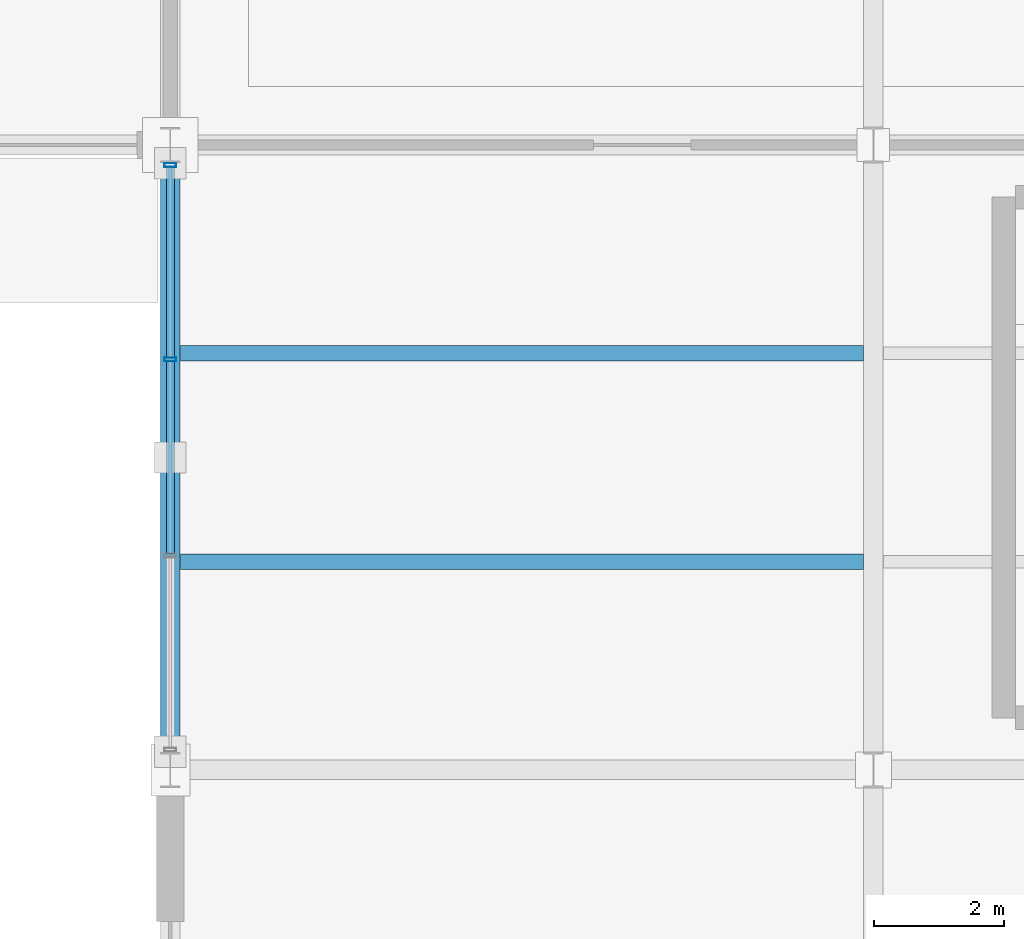
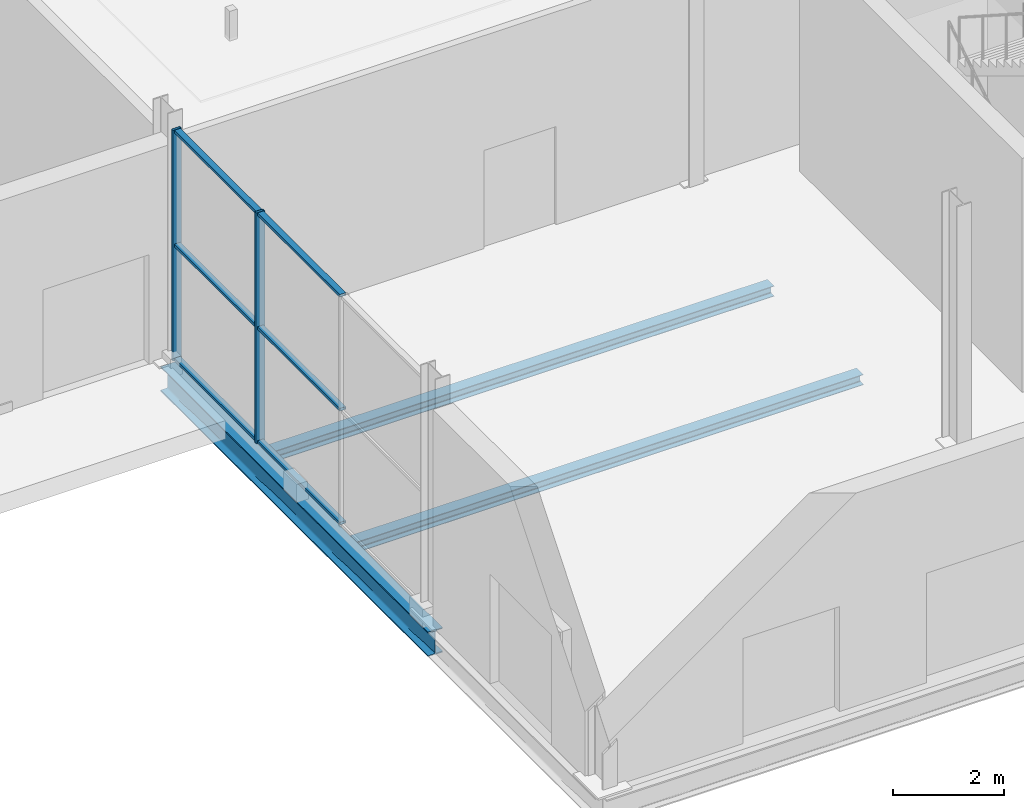
# One storey, part 124 of 196: 8 members, 3 beams, 1 element without a shape of its own.
"""IFC4 building model written with IfcOpenShell, lengths in metres."""

from ifc_helpers import new_model, si_unit, direction, frame, origin, origin_2d, place, context, subcontext, project, spatial, hollow_rectangle, i_section, extrude, material, material_profile, profile_set, type_object, element, aggregate, save


model = new_model("IFC4")

# Units and contexts
model_context = context("Model", 3, precision=1e-05, world=origin(), true_north=direction((0.0, 1.0)))
body_context = subcontext(model_context, "Body", "Model", "MODEL_VIEW")
ifc_project = project(units=[si_unit("LENGTHUNIT", "METRE"), si_unit("AREAUNIT", "SQUARE_METRE"), si_unit("VOLUMEUNIT", "CUBIC_METRE"), si_unit("PLANEANGLEUNIT", "RADIAN"), si_unit("MASSUNIT", "GRAM", prefix="KILO")], contexts=[model_context])

# Site, building, storey
site_placement = place(None, origin())
site = spatial("IfcSite", under=ifc_project, at=site_placement, CompositionType="ELEMENT")
building_placement = place(site_placement, origin())
building = spatial("IfcBuilding", under=site, at=building_placement, Name="Merenkruunu Market Hall", CompositionType="ELEMENT")
storey_placement = place(building_placement, origin())
storey = spatial("IfcBuildingStorey", under=building, at=storey_placement, Name="L00", CompositionType="ELEMENT", Elevation=0.0)

# Curtain wall, members
ifc_material_1 = material(Name="Powder-coated aluminium", Category="aluminium")
curtain_wall_type = type_object("IfcCurtainWallType", Name="Glazed Curtain Wall CW14", PredefinedType="USERDEFINED", material=ifc_material_1)
curtain_wall_placement = place(storey_placement, origin())
curtain_wall = element("IfcCurtainWall", 1, at=curtain_wall_placement, inside=storey, type_object=curtain_wall_type, Name="CW-L00-CWM02-204", ObjectType="GLAZED_FACADE", PredefinedType="USERDEFINED")
ifc_material_profile_1 = material_profile(ifc_material_1, hollow_rectangle(XDim=0.06005859375, YDim=0.179931640625, WallThickness=0.00390625, at=origin_2d()), Name="ALU 60x180x4")
ifc_profile_set_1 = profile_set([ifc_material_profile_1], Name="Powder-coated aluminium")
member_type_1 = type_object("IfcMemberType", Name="Curtain Wall Mullion CWM02", PredefinedType="MULLION", material=ifc_profile_set_1)
member_1_placement = place(storey_placement, frame((148.800048828125, 12.306640625, 0.0), z_axis=(0.0, 0.0, 1.0), x_axis=(0.0, 1.0, 0.0)))
member_1 = element("IfcMember", 2, at=member_1_placement, type_object=member_type_1, Name="CW14 mullion 3", PredefinedType="MULLION", context=body_context, shape_type="SweptSolid", body=[
    extrude(hollow_rectangle(XDim=0.06005859375, YDim=0.179931640625, WallThickness=0.00390625, at=origin_2d()), origin(), (0.0, 0.0, 1.0), 5.050048828125),
])
member_2_placement = place(storey_placement, frame((148.800048828125, 15.2900390625, 0.0), z_axis=(0.0, 0.0, 1.0), x_axis=(0.0, 1.0, 0.0)))
member_2 = element("IfcMember", 3, at=member_2_placement, type_object=member_type_1, Name="CW14 mullion 4", PredefinedType="MULLION", context=body_context, shape_type="SweptSolid", body=[
    extrude(hollow_rectangle(XDim=0.06005859375, YDim=0.179931640625, WallThickness=0.00390625, at=origin_2d()), origin(), (0.0, 0.0, 1.0), 5.050048828125),
])
ifc_material_profile_2 = material_profile(ifc_material_1, hollow_rectangle(XDim=0.06005859375, YDim=0.125, WallThickness=0.00390625, at=origin_2d()), Name="ALU 60x125x4")
ifc_profile_set_2 = profile_set([ifc_material_profile_2], Name="Powder-coated aluminium")
member_type_2 = type_object("IfcMemberType", Name="Curtain Wall Transom CWT01", PredefinedType="USERDEFINED", material=ifc_profile_set_2)
member_3_placement = place(storey_placement, frame((148.800048828125, 9.3232421875, 0.030029296875), z_axis=(0.0, 1.0, 0.0), x_axis=(0.0, 0.0, 1.0)))
member_3 = element("IfcMember", 4, at=member_3_placement, type_object=member_type_2, Name="CW14 transom 2.1", ObjectType="TRANSOM", PredefinedType="USERDEFINED", context=body_context, shape_type="SweptSolid", body=[
    extrude(hollow_rectangle(XDim=0.06005859375, YDim=0.125, WallThickness=0.00390625, at=origin_2d()), origin(), (0.0, 0.0, 1.0), 2.953369140625),
])
member_4_placement = place(storey_placement, frame((148.800048828125, 9.3232421875, 2.52490234375), z_axis=(0.0, 1.0, 0.0), x_axis=(0.0, 0.0, 1.0)))
member_4 = element("IfcMember", 5, at=member_4_placement, type_object=member_type_2, Name="CW14 transom 2.2", ObjectType="TRANSOM", PredefinedType="USERDEFINED", context=body_context, shape_type="SweptSolid", body=[
    extrude(hollow_rectangle(XDim=0.06005859375, YDim=0.125, WallThickness=0.00390625, at=origin_2d()), origin(), (0.0, 0.0, 1.0), 2.953369140625),
])
member_5_placement = place(storey_placement, frame((148.800048828125, 9.3232421875, 5.02001953125), z_axis=(0.0, 1.0, 0.0), x_axis=(0.0, 0.0, 1.0)))
member_5 = element("IfcMember", 6, at=member_5_placement, type_object=member_type_2, Name="CW14 transom 2.3", ObjectType="TRANSOM", PredefinedType="USERDEFINED", context=body_context, shape_type="SweptSolid", body=[
    extrude(hollow_rectangle(XDim=0.06005859375, YDim=0.125, WallThickness=0.00390625, at=origin_2d()), origin(), (0.0, 0.0, 1.0), 2.953369140625),
])
member_6_placement = place(storey_placement, frame((148.800048828125, 12.336669921875, 0.030029296875), z_axis=(0.0, 1.0, 0.0), x_axis=(0.0, 0.0, 1.0)))
member_6 = element("IfcMember", 7, at=member_6_placement, type_object=member_type_2, Name="CW14 transom 3.1", ObjectType="TRANSOM", PredefinedType="USERDEFINED", context=body_context, shape_type="SweptSolid", body=[
    extrude(hollow_rectangle(XDim=0.06005859375, YDim=0.125, WallThickness=0.00390625, at=origin_2d()), origin(), (0.0, 0.0, 1.0), 2.92333984375),
])
member_7_placement = place(storey_placement, frame((148.800048828125, 12.336669921875, 2.52490234375), z_axis=(0.0, 1.0, 0.0), x_axis=(0.0, 0.0, 1.0)))
member_7 = element("IfcMember", 8, at=member_7_placement, type_object=member_type_2, Name="CW14 transom 3.2", ObjectType="TRANSOM", PredefinedType="USERDEFINED", context=body_context, shape_type="SweptSolid", body=[
    extrude(hollow_rectangle(XDim=0.06005859375, YDim=0.125, WallThickness=0.00390625, at=origin_2d()), origin(), (0.0, 0.0, 1.0), 2.92333984375),
])
member_8_placement = place(storey_placement, frame((148.800048828125, 12.336669921875, 5.02001953125), z_axis=(0.0, 1.0, 0.0), x_axis=(0.0, 0.0, 1.0)))
member_8 = element("IfcMember", 9, at=member_8_placement, type_object=member_type_2, Name="CW14 transom 3.3", ObjectType="TRANSOM", PredefinedType="USERDEFINED", context=body_context, shape_type="SweptSolid", body=[
    extrude(hollow_rectangle(XDim=0.06005859375, YDim=0.125, WallThickness=0.00390625, at=origin_2d()), origin(), (0.0, 0.0, 1.0), 2.92333984375),
])
aggregate(curtain_wall, [member_1, member_2, member_3, member_4, member_5, member_6, member_7, member_8])

# Beams
ifc_material_2 = material(Name="Steel S355J2", Category="steel")
ifc_material_profile_3 = material_profile(ifc_material_2, i_section(OverallWidth=0.300048828125, OverallDepth=0.5400390625, WebThickness=0.012451171875, FlangeThickness=0.02392578125, FilletRadius=0.027099609375, at=origin_2d()), Name="HEA 550")
ifc_profile_set_3 = profile_set([ifc_material_profile_3], Name="Steel S355J2")
beam_type_1 = type_object("IfcBeamType", Name="Primary Floor Girder B06", PredefinedType="BEAM", material=ifc_profile_set_3)
beam_placement = place(storey_placement, frame((148.800048828125, 6.0, -0.570068359375), z_axis=(0.0, 1.0, 0.0), x_axis=(-1.0, 0.0, 0.0)))
element("IfcBeam", 10, at=beam_placement, inside=storey, type_object=beam_type_1, Name="BM-L00-B06-0240", PredefinedType="BEAM", context=body_context, shape_type="SweptSolid", body=[
    extrude(i_section(OverallWidth=0.300048828125, OverallDepth=0.5400390625, WebThickness=0.012451171875, FlangeThickness=0.02392578125, FilletRadius=0.027099609375, at=origin_2d()), origin(), (0.0, 0.0, 1.0), 9.60009765625),
])
ifc_material_profile_4 = material_profile(ifc_material_2, i_section(OverallWidth=0.239990234375, OverallDepth=0.22998046875, WebThickness=0.007568359375, FlangeThickness=0.011962890625, FilletRadius=0.02099609375, at=origin_2d()), Name="HEA 240")
ifc_profile_set_4 = profile_set([ifc_material_profile_4], Name="Steel S355J2")
beam_type_2 = type_object("IfcBeamType", Name="Secondary Floor Joist J06", PredefinedType="JOIST", material=ifc_profile_set_4)
for number, where, z_axis, x_axis, name in (
    (11, (148.952880859375, 9.199951171875, -0.4150390625), (1.0, 0.0, 0.0), (0.0, 1.0, 0.0), "BM-L00-J06-0423"),
    (12, (148.952880859375, 12.39990234375, -0.4150390625), (1.0, 0.0, 0.0), (0.0, 1.0, 0.0), "BM-L00-J06-0424"),
):
    element("IfcBeam", number, at=place(storey_placement, frame(where, z_axis=z_axis, x_axis=x_axis)), inside=storey, type_object=beam_type_2, Name=name, PredefinedType="JOIST", context=body_context, shape_type="SweptSolid", body=[
        extrude(i_section(OverallWidth=0.239990234375, OverallDepth=0.22998046875, WebThickness=0.007568359375, FlangeThickness=0.011962890625, FilletRadius=0.02099609375, at=origin_2d()), origin(), (0.0, 0.0, 1.0), 10.494140625),
    ])

save(model, "model.ifc")
